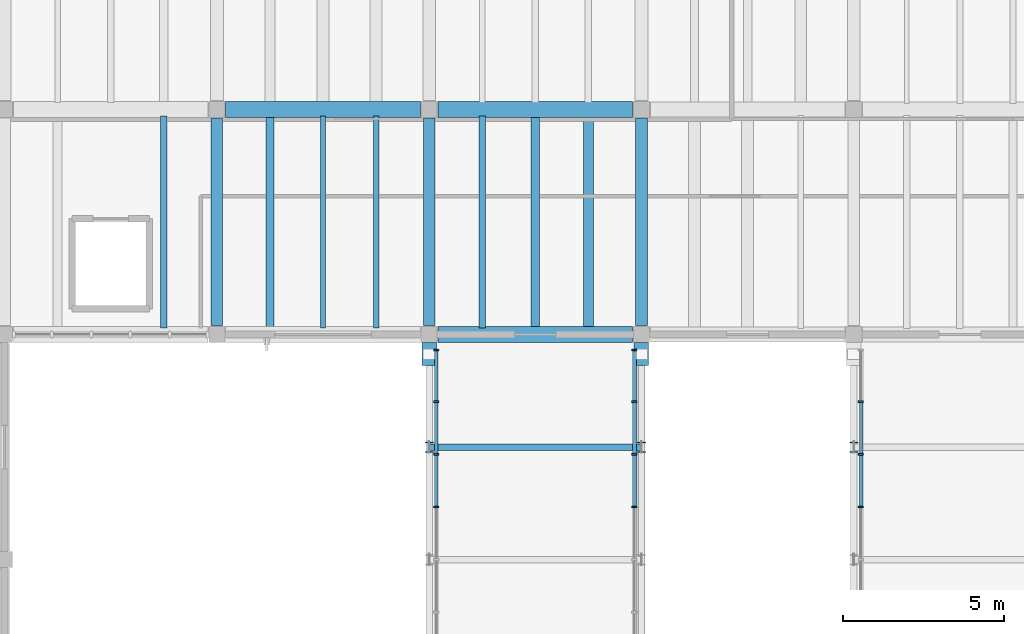
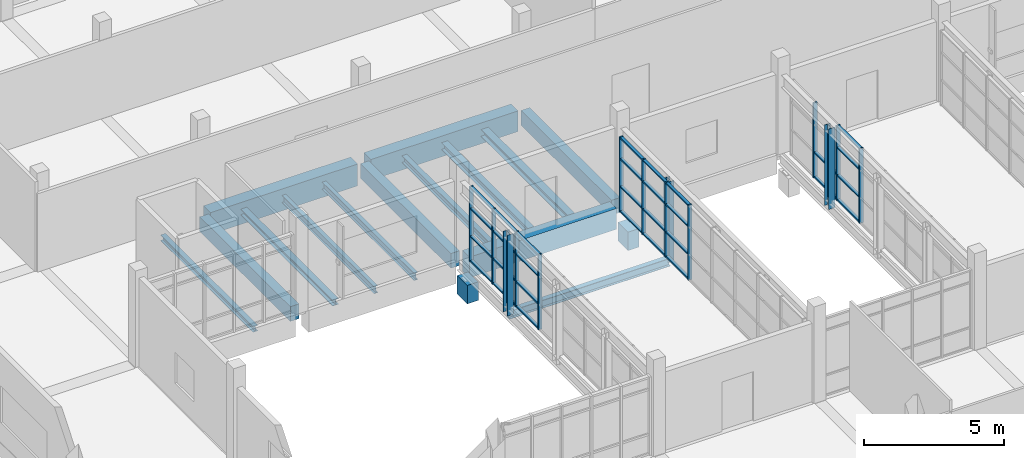
# One storey, part 26 of 65: 44 members, 16 beams, 3 elements without a shape of their own.
"""IFC4 building model written with IfcOpenShell, lengths in metres."""

from ifc_helpers import new_model, si_unit, direction, frame, origin, origin_2d, place, context, subcontext, project, spatial, rectangle, i_section, extrude, material, material_profile, profile_set, type_object, element, aggregate, save


model = new_model("IFC4")

# Units and contexts
model_context = context("Model", 3, precision=1e-05, world=origin(), true_north=direction((0.0, 1.0)))
body_context = subcontext(model_context, "Body", "Model", "MODEL_VIEW")
ifc_project = project(units=[si_unit("LENGTHUNIT", "METRE"), si_unit("AREAUNIT", "SQUARE_METRE"), si_unit("VOLUMEUNIT", "CUBIC_METRE"), si_unit("PLANEANGLEUNIT", "RADIAN"), si_unit("MASSUNIT", "GRAM", prefix="KILO")], contexts=[model_context])

# Site, building, storey
site_placement = place(None, origin())
site = spatial("IfcSite", under=ifc_project, at=site_placement, CompositionType="ELEMENT")
building_placement = place(site_placement, origin())
building = spatial("IfcBuilding", under=site, at=building_placement, Name="Ciguamira Faculty of Natural Sciences", CompositionType="ELEMENT")
storey_placement = place(building_placement, frame((0.0, 0.0, 12.60009765625)))
storey = spatial("IfcBuildingStorey", under=building, at=storey_placement, Name="L03", CompositionType="ELEMENT", Elevation=12.60009765625)

# Curtain wall, members
ifc_material_1 = material(Name="Anodized aluminium curtain wall", Category="aluminium")
curtain_wall_type_1 = type_object("IfcCurtainWallType", Name="CurtainWall_CW-10", PredefinedType="USERDEFINED", material=ifc_material_1)
curtain_wall_1_placement = place(storey_placement, origin())
curtain_wall_1 = element("IfcCurtainWall", 1, at=curtain_wall_1_placement, inside=storey, type_object=curtain_wall_type_1, Name="Link bridge BR-3 glazed curtain wall W", ObjectType="UNITISED CURTAIN WALL", PredefinedType="USERDEFINED")
ifc_material_2 = material(Name="Anodized aluminium mullion", Category="aluminium")
ifc_material_profile_1 = material_profile(ifc_material_2, rectangle(XDim=0.06005859375, YDim=0.159912109375, at=origin_2d()), Name="ALU-MUL-60X160")
ifc_profile_set_1 = profile_set([ifc_material_profile_1], Name="Anodized aluminium mullion")
member_type_1 = type_object("IfcMemberType", Name="CWMullion_CWM-01", PredefinedType="MULLION", material=ifc_profile_set_1)
member_1_placement = place(storey_placement, frame((77.320068359375, 67.637451171875, 0.0), z_axis=(0.0, 0.0, 1.0), x_axis=(0.0, 1.0, 0.0)))
member_1 = element("IfcMember", 2, at=member_1_placement, type_object=member_type_1, Name="CW-10 mullion 6", PredefinedType="MULLION", context=body_context, shape_type="SweptSolid", body=[
    extrude(rectangle(XDim=0.06005859375, YDim=0.159912109375, at=origin_2d()), origin(), (0.0, 0.0, 1.0), 3.25),
])
member_2_placement = place(storey_placement, frame((77.320068359375, 69.27490234375, 0.0), z_axis=(0.0, 0.0, 1.0), x_axis=(0.0, 1.0, 0.0)))
member_2 = element("IfcMember", 3, at=member_2_placement, type_object=member_type_1, Name="CW-10 mullion 7", PredefinedType="MULLION", context=body_context, shape_type="SweptSolid", body=[
    extrude(rectangle(XDim=0.06005859375, YDim=0.159912109375, at=origin_2d()), origin(), (0.0, 0.0, 1.0), 3.25),
])
member_3_placement = place(storey_placement, frame((77.320068359375, 70.91259765625, 0.0), z_axis=(0.0, 0.0, 1.0), x_axis=(0.0, 1.0, 0.0)))
member_3 = element("IfcMember", 4, at=member_3_placement, type_object=member_type_1, Name="CW-10 mullion 8", PredefinedType="MULLION", context=body_context, shape_type="SweptSolid", body=[
    extrude(rectangle(XDim=0.06005859375, YDim=0.159912109375, at=origin_2d()), origin(), (0.0, 0.0, 1.0), 3.25),
])
member_4_placement = place(storey_placement, frame((77.320068359375, 72.52001953125, 0.0), z_axis=(0.0, 0.0, 1.0), x_axis=(0.0, 1.0, 0.0)))
member_4 = element("IfcMember", 5, at=member_4_placement, type_object=member_type_1, Name="CW-10 mullion 9", PredefinedType="MULLION", context=body_context, shape_type="SweptSolid", body=[
    extrude(rectangle(XDim=0.06005859375, YDim=0.159912109375, at=origin_2d()), origin(), (0.0, 0.0, 1.0), 3.25),
])

curtain_wall_type_2 = type_object("IfcCurtainWallType", Name="CurtainWall_CW-11", PredefinedType="USERDEFINED", material=ifc_material_1)
curtain_wall_2_placement = place(storey_placement, origin())
curtain_wall_2 = element("IfcCurtainWall", 6, at=curtain_wall_2_placement, inside=storey, type_object=curtain_wall_type_2, Name="Link bridge BR-3 glazed curtain wall E", ObjectType="UNITISED CURTAIN WALL", PredefinedType="USERDEFINED")
member_5_placement = place(storey_placement, frame((83.47998046875, 67.637451171875, 0.0), z_axis=(0.0, 0.0, 1.0), x_axis=(0.0, 1.0, 0.0)))
member_5 = element("IfcMember", 7, at=member_5_placement, type_object=member_type_1, Name="CW-11 mullion 6", PredefinedType="MULLION", context=body_context, shape_type="SweptSolid", body=[
    extrude(rectangle(XDim=0.06005859375, YDim=0.159912109375, at=origin_2d()), origin(), (0.0, 0.0, 1.0), 3.25),
])
member_6_placement = place(storey_placement, frame((83.47998046875, 69.27490234375, 0.0), z_axis=(0.0, 0.0, 1.0), x_axis=(0.0, 1.0, 0.0)))
member_6 = element("IfcMember", 8, at=member_6_placement, type_object=member_type_1, Name="CW-11 mullion 7", PredefinedType="MULLION", context=body_context, shape_type="SweptSolid", body=[
    extrude(rectangle(XDim=0.06005859375, YDim=0.159912109375, at=origin_2d()), origin(), (0.0, 0.0, 1.0), 3.25),
])
member_7_placement = place(storey_placement, frame((83.47998046875, 70.91259765625, 0.0), z_axis=(0.0, 0.0, 1.0), x_axis=(0.0, 1.0, 0.0)))
member_7 = element("IfcMember", 9, at=member_7_placement, type_object=member_type_1, Name="CW-11 mullion 8", PredefinedType="MULLION", context=body_context, shape_type="SweptSolid", body=[
    extrude(rectangle(XDim=0.06005859375, YDim=0.159912109375, at=origin_2d()), origin(), (0.0, 0.0, 1.0), 3.25),
])
member_8_placement = place(storey_placement, frame((83.47998046875, 72.52001953125, 0.0), z_axis=(0.0, 0.0, 1.0), x_axis=(0.0, 1.0, 0.0)))
member_8 = element("IfcMember", 10, at=member_8_placement, type_object=member_type_1, Name="CW-11 mullion 9", PredefinedType="MULLION", context=body_context, shape_type="SweptSolid", body=[
    extrude(rectangle(XDim=0.06005859375, YDim=0.159912109375, at=origin_2d()), origin(), (0.0, 0.0, 1.0), 3.25),
])

curtain_wall_type_3 = type_object("IfcCurtainWallType", Name="CurtainWall_CW-12", PredefinedType="USERDEFINED", material=ifc_material_1)
curtain_wall_3_placement = place(storey_placement, origin())
curtain_wall_3 = element("IfcCurtainWall", 11, at=curtain_wall_3_placement, inside=storey, type_object=curtain_wall_type_3, Name="Link bridge BR-4 glazed curtain wall W", ObjectType="UNITISED CURTAIN WALL", PredefinedType="USERDEFINED")
member_9_placement = place(storey_placement, frame((90.52001953125, 67.637451171875, 0.0), z_axis=(0.0, 0.0, 1.0), x_axis=(0.0, 1.0, 0.0)))
member_9 = element("IfcMember", 12, at=member_9_placement, type_object=member_type_1, Name="CW-12 mullion 6", PredefinedType="MULLION", context=body_context, shape_type="SweptSolid", body=[
    extrude(rectangle(XDim=0.06005859375, YDim=0.159912109375, at=origin_2d()), origin(), (0.0, 0.0, 1.0), 3.25),
])
member_10_placement = place(storey_placement, frame((90.52001953125, 69.27490234375, 0.0), z_axis=(0.0, 0.0, 1.0), x_axis=(0.0, 1.0, 0.0)))
member_10 = element("IfcMember", 13, at=member_10_placement, type_object=member_type_1, Name="CW-12 mullion 7", PredefinedType="MULLION", context=body_context, shape_type="SweptSolid", body=[
    extrude(rectangle(XDim=0.06005859375, YDim=0.159912109375, at=origin_2d()), origin(), (0.0, 0.0, 1.0), 3.25),
])
member_11_placement = place(storey_placement, frame((90.52001953125, 70.91259765625, 0.0), z_axis=(0.0, 0.0, 1.0), x_axis=(0.0, 1.0, 0.0)))
member_11 = element("IfcMember", 14, at=member_11_placement, type_object=member_type_1, Name="CW-12 mullion 8", PredefinedType="MULLION", context=body_context, shape_type="SweptSolid", body=[
    extrude(rectangle(XDim=0.06005859375, YDim=0.159912109375, at=origin_2d()), origin(), (0.0, 0.0, 1.0), 3.25),
])

# Member
ifc_material_3 = material(Name="Anodized aluminium transom", Category="aluminium")
ifc_material_profile_2 = material_profile(ifc_material_3, rectangle(XDim=0.06005859375, YDim=0.1201171875, at=origin_2d()), Name="ALU-TRN-60X120")
ifc_profile_set_2 = profile_set([ifc_material_profile_2], Name="Anodized aluminium transom")
member_type_2 = type_object("IfcMemberType", Name="CWTransom_CWT-01", PredefinedType="USERDEFINED", material=ifc_profile_set_2)
member_12_placement = place(storey_placement, frame((77.320068359375, 67.66748046875, 0.02978515625), z_axis=(0.0, 1.0, 0.0), x_axis=(0.0, 0.0, 1.0)))
member_12 = element("IfcMember", 15, at=member_12_placement, type_object=member_type_2, Name="CW-10 transom 6.1", ObjectType="TRANSOM", PredefinedType="USERDEFINED", context=body_context, shape_type="SweptSolid", body=[
    extrude(rectangle(XDim=0.06005859375, YDim=0.1201171875, at=origin_2d()), origin(), (0.0, 0.0, 1.0), 1.57763671875),
])

member_13_placement = place(storey_placement, frame((77.320068359375, 67.66748046875, 1.099853515625), z_axis=(0.0, 1.0, 0.0), x_axis=(0.0, 0.0, 1.0)))
member_13 = element("IfcMember", 16, at=member_13_placement, type_object=member_type_2, Name="CW-10 transom 6.2", ObjectType="TRANSOM", PredefinedType="USERDEFINED", context=body_context, shape_type="SweptSolid", body=[
    extrude(rectangle(XDim=0.06005859375, YDim=0.1201171875, at=origin_2d()), origin(), (0.0, 0.0, 1.0), 1.57763671875),
])

member_14_placement = place(storey_placement, frame((77.320068359375, 67.66748046875, 2.2998046875), z_axis=(0.0, 1.0, 0.0), x_axis=(0.0, 0.0, 1.0)))
member_14 = element("IfcMember", 17, at=member_14_placement, type_object=member_type_2, Name="CW-10 transom 6.3", ObjectType="TRANSOM", PredefinedType="USERDEFINED", context=body_context, shape_type="SweptSolid", body=[
    extrude(rectangle(XDim=0.06005859375, YDim=0.1201171875, at=origin_2d()), origin(), (0.0, 0.0, 1.0), 1.57763671875),
])

member_15_placement = place(storey_placement, frame((77.320068359375, 67.66748046875, 3.219970703125), z_axis=(0.0, 1.0, 0.0), x_axis=(0.0, 0.0, 1.0)))
member_15 = element("IfcMember", 18, at=member_15_placement, type_object=member_type_2, Name="CW-10 transom 6.4", ObjectType="TRANSOM", PredefinedType="USERDEFINED", context=body_context, shape_type="SweptSolid", body=[
    extrude(rectangle(XDim=0.06005859375, YDim=0.1201171875, at=origin_2d()), origin(), (0.0, 0.0, 1.0), 1.57763671875),
])

member_16_placement = place(storey_placement, frame((77.320068359375, 69.304931640625, 0.02978515625), z_axis=(0.0, 1.0, 0.0), x_axis=(0.0, 0.0, 1.0)))
member_16 = element("IfcMember", 19, at=member_16_placement, type_object=member_type_2, Name="CW-10 transom 7.1", ObjectType="TRANSOM", PredefinedType="USERDEFINED", context=body_context, shape_type="SweptSolid", body=[
    extrude(rectangle(XDim=0.06005859375, YDim=0.1201171875, at=origin_2d()), origin(), (0.0, 0.0, 1.0), 1.57763671875),
])

member_17_placement = place(storey_placement, frame((77.320068359375, 69.304931640625, 1.099853515625), z_axis=(0.0, 1.0, 0.0), x_axis=(0.0, 0.0, 1.0)))
member_17 = element("IfcMember", 20, at=member_17_placement, type_object=member_type_2, Name="CW-10 transom 7.2", ObjectType="TRANSOM", PredefinedType="USERDEFINED", context=body_context, shape_type="SweptSolid", body=[
    extrude(rectangle(XDim=0.06005859375, YDim=0.1201171875, at=origin_2d()), origin(), (0.0, 0.0, 1.0), 1.57763671875),
])

member_18_placement = place(storey_placement, frame((77.320068359375, 69.304931640625, 2.2998046875), z_axis=(0.0, 1.0, 0.0), x_axis=(0.0, 0.0, 1.0)))
member_18 = element("IfcMember", 21, at=member_18_placement, type_object=member_type_2, Name="CW-10 transom 7.3", ObjectType="TRANSOM", PredefinedType="USERDEFINED", context=body_context, shape_type="SweptSolid", body=[
    extrude(rectangle(XDim=0.06005859375, YDim=0.1201171875, at=origin_2d()), origin(), (0.0, 0.0, 1.0), 1.57763671875),
])

member_19_placement = place(storey_placement, frame((77.320068359375, 69.304931640625, 3.219970703125), z_axis=(0.0, 1.0, 0.0), x_axis=(0.0, 0.0, 1.0)))
member_19 = element("IfcMember", 22, at=member_19_placement, type_object=member_type_2, Name="CW-10 transom 7.4", ObjectType="TRANSOM", PredefinedType="USERDEFINED", context=body_context, shape_type="SweptSolid", body=[
    extrude(rectangle(XDim=0.06005859375, YDim=0.1201171875, at=origin_2d()), origin(), (0.0, 0.0, 1.0), 1.57763671875),
])

member_20_placement = place(storey_placement, frame((77.320068359375, 70.9423828125, 0.02978515625), z_axis=(0.0, 1.0, 0.0), x_axis=(0.0, 0.0, 1.0)))
member_20 = element("IfcMember", 23, at=member_20_placement, type_object=member_type_2, Name="CW-10 transom 8.1", ObjectType="TRANSOM", PredefinedType="USERDEFINED", context=body_context, shape_type="SweptSolid", body=[
    extrude(rectangle(XDim=0.06005859375, YDim=0.1201171875, at=origin_2d()), origin(), (0.0, 0.0, 1.0), 1.547607421875),
])

member_21_placement = place(storey_placement, frame((77.320068359375, 70.9423828125, 1.099853515625), z_axis=(0.0, 1.0, 0.0), x_axis=(0.0, 0.0, 1.0)))
member_21 = element("IfcMember", 24, at=member_21_placement, type_object=member_type_2, Name="CW-10 transom 8.2", ObjectType="TRANSOM", PredefinedType="USERDEFINED", context=body_context, shape_type="SweptSolid", body=[
    extrude(rectangle(XDim=0.06005859375, YDim=0.1201171875, at=origin_2d()), origin(), (0.0, 0.0, 1.0), 1.547607421875),
])

member_22_placement = place(storey_placement, frame((77.320068359375, 70.9423828125, 2.2998046875), z_axis=(0.0, 1.0, 0.0), x_axis=(0.0, 0.0, 1.0)))
member_22 = element("IfcMember", 25, at=member_22_placement, type_object=member_type_2, Name="CW-10 transom 8.3", ObjectType="TRANSOM", PredefinedType="USERDEFINED", context=body_context, shape_type="SweptSolid", body=[
    extrude(rectangle(XDim=0.06005859375, YDim=0.1201171875, at=origin_2d()), origin(), (0.0, 0.0, 1.0), 1.547607421875),
])

member_23_placement = place(storey_placement, frame((77.320068359375, 70.9423828125, 3.219970703125), z_axis=(0.0, 1.0, 0.0), x_axis=(0.0, 0.0, 1.0)))
member_23 = element("IfcMember", 26, at=member_23_placement, type_object=member_type_2, Name="CW-10 transom 8.4", ObjectType="TRANSOM", PredefinedType="USERDEFINED", context=body_context, shape_type="SweptSolid", body=[
    extrude(rectangle(XDim=0.06005859375, YDim=0.1201171875, at=origin_2d()), origin(), (0.0, 0.0, 1.0), 1.547607421875),
])

aggregate(curtain_wall_1, [member_1, member_2, member_3, member_4, member_12, member_13, member_14, member_15, member_16, member_17, member_18, member_19, member_20, member_21, member_22, member_23])

member_24_placement = place(storey_placement, frame((83.47998046875, 67.66748046875, 0.02978515625), z_axis=(0.0, 1.0, 0.0), x_axis=(0.0, 0.0, 1.0)))
member_24 = element("IfcMember", 27, at=member_24_placement, type_object=member_type_2, Name="CW-11 transom 6.1", ObjectType="TRANSOM", PredefinedType="USERDEFINED", context=body_context, shape_type="SweptSolid", body=[
    extrude(rectangle(XDim=0.06005859375, YDim=0.1201171875, at=origin_2d()), origin(), (0.0, 0.0, 1.0), 1.57763671875),
])

member_25_placement = place(storey_placement, frame((83.47998046875, 67.66748046875, 1.099853515625), z_axis=(0.0, 1.0, 0.0), x_axis=(0.0, 0.0, 1.0)))
member_25 = element("IfcMember", 28, at=member_25_placement, type_object=member_type_2, Name="CW-11 transom 6.2", ObjectType="TRANSOM", PredefinedType="USERDEFINED", context=body_context, shape_type="SweptSolid", body=[
    extrude(rectangle(XDim=0.06005859375, YDim=0.1201171875, at=origin_2d()), origin(), (0.0, 0.0, 1.0), 1.57763671875),
])

member_26_placement = place(storey_placement, frame((83.47998046875, 67.66748046875, 2.2998046875), z_axis=(0.0, 1.0, 0.0), x_axis=(0.0, 0.0, 1.0)))
member_26 = element("IfcMember", 29, at=member_26_placement, type_object=member_type_2, Name="CW-11 transom 6.3", ObjectType="TRANSOM", PredefinedType="USERDEFINED", context=body_context, shape_type="SweptSolid", body=[
    extrude(rectangle(XDim=0.06005859375, YDim=0.1201171875, at=origin_2d()), origin(), (0.0, 0.0, 1.0), 1.57763671875),
])

member_27_placement = place(storey_placement, frame((83.47998046875, 67.66748046875, 3.219970703125), z_axis=(0.0, 1.0, 0.0), x_axis=(0.0, 0.0, 1.0)))
member_27 = element("IfcMember", 30, at=member_27_placement, type_object=member_type_2, Name="CW-11 transom 6.4", ObjectType="TRANSOM", PredefinedType="USERDEFINED", context=body_context, shape_type="SweptSolid", body=[
    extrude(rectangle(XDim=0.06005859375, YDim=0.1201171875, at=origin_2d()), origin(), (0.0, 0.0, 1.0), 1.57763671875),
])

member_28_placement = place(storey_placement, frame((83.47998046875, 69.304931640625, 0.02978515625), z_axis=(0.0, 1.0, 0.0), x_axis=(0.0, 0.0, 1.0)))
member_28 = element("IfcMember", 31, at=member_28_placement, type_object=member_type_2, Name="CW-11 transom 7.1", ObjectType="TRANSOM", PredefinedType="USERDEFINED", context=body_context, shape_type="SweptSolid", body=[
    extrude(rectangle(XDim=0.06005859375, YDim=0.1201171875, at=origin_2d()), origin(), (0.0, 0.0, 1.0), 1.57763671875),
])

member_29_placement = place(storey_placement, frame((83.47998046875, 69.304931640625, 1.099853515625), z_axis=(0.0, 1.0, 0.0), x_axis=(0.0, 0.0, 1.0)))
member_29 = element("IfcMember", 32, at=member_29_placement, type_object=member_type_2, Name="CW-11 transom 7.2", ObjectType="TRANSOM", PredefinedType="USERDEFINED", context=body_context, shape_type="SweptSolid", body=[
    extrude(rectangle(XDim=0.06005859375, YDim=0.1201171875, at=origin_2d()), origin(), (0.0, 0.0, 1.0), 1.57763671875),
])

member_30_placement = place(storey_placement, frame((83.47998046875, 69.304931640625, 2.2998046875), z_axis=(0.0, 1.0, 0.0), x_axis=(0.0, 0.0, 1.0)))
member_30 = element("IfcMember", 33, at=member_30_placement, type_object=member_type_2, Name="CW-11 transom 7.3", ObjectType="TRANSOM", PredefinedType="USERDEFINED", context=body_context, shape_type="SweptSolid", body=[
    extrude(rectangle(XDim=0.06005859375, YDim=0.1201171875, at=origin_2d()), origin(), (0.0, 0.0, 1.0), 1.57763671875),
])

member_31_placement = place(storey_placement, frame((83.47998046875, 69.304931640625, 3.219970703125), z_axis=(0.0, 1.0, 0.0), x_axis=(0.0, 0.0, 1.0)))
member_31 = element("IfcMember", 34, at=member_31_placement, type_object=member_type_2, Name="CW-11 transom 7.4", ObjectType="TRANSOM", PredefinedType="USERDEFINED", context=body_context, shape_type="SweptSolid", body=[
    extrude(rectangle(XDim=0.06005859375, YDim=0.1201171875, at=origin_2d()), origin(), (0.0, 0.0, 1.0), 1.57763671875),
])

member_32_placement = place(storey_placement, frame((83.47998046875, 70.9423828125, 0.02978515625), z_axis=(0.0, 1.0, 0.0), x_axis=(0.0, 0.0, 1.0)))
member_32 = element("IfcMember", 35, at=member_32_placement, type_object=member_type_2, Name="CW-11 transom 8.1", ObjectType="TRANSOM", PredefinedType="USERDEFINED", context=body_context, shape_type="SweptSolid", body=[
    extrude(rectangle(XDim=0.06005859375, YDim=0.1201171875, at=origin_2d()), origin(), (0.0, 0.0, 1.0), 1.547607421875),
])

member_33_placement = place(storey_placement, frame((83.47998046875, 70.9423828125, 1.099853515625), z_axis=(0.0, 1.0, 0.0), x_axis=(0.0, 0.0, 1.0)))
member_33 = element("IfcMember", 36, at=member_33_placement, type_object=member_type_2, Name="CW-11 transom 8.2", ObjectType="TRANSOM", PredefinedType="USERDEFINED", context=body_context, shape_type="SweptSolid", body=[
    extrude(rectangle(XDim=0.06005859375, YDim=0.1201171875, at=origin_2d()), origin(), (0.0, 0.0, 1.0), 1.547607421875),
])

member_34_placement = place(storey_placement, frame((83.47998046875, 70.9423828125, 2.2998046875), z_axis=(0.0, 1.0, 0.0), x_axis=(0.0, 0.0, 1.0)))
member_34 = element("IfcMember", 37, at=member_34_placement, type_object=member_type_2, Name="CW-11 transom 8.3", ObjectType="TRANSOM", PredefinedType="USERDEFINED", context=body_context, shape_type="SweptSolid", body=[
    extrude(rectangle(XDim=0.06005859375, YDim=0.1201171875, at=origin_2d()), origin(), (0.0, 0.0, 1.0), 1.547607421875),
])

member_35_placement = place(storey_placement, frame((83.47998046875, 70.9423828125, 3.219970703125), z_axis=(0.0, 1.0, 0.0), x_axis=(0.0, 0.0, 1.0)))
member_35 = element("IfcMember", 38, at=member_35_placement, type_object=member_type_2, Name="CW-11 transom 8.4", ObjectType="TRANSOM", PredefinedType="USERDEFINED", context=body_context, shape_type="SweptSolid", body=[
    extrude(rectangle(XDim=0.06005859375, YDim=0.1201171875, at=origin_2d()), origin(), (0.0, 0.0, 1.0), 1.547607421875),
])

aggregate(curtain_wall_2, [member_5, member_6, member_7, member_8, member_24, member_25, member_26, member_27, member_28, member_29, member_30, member_31, member_32, member_33, member_34, member_35])

member_36_placement = place(storey_placement, frame((90.52001953125, 67.66748046875, 0.02978515625), z_axis=(0.0, 1.0, 0.0), x_axis=(0.0, 0.0, 1.0)))
member_36 = element("IfcMember", 39, at=member_36_placement, type_object=member_type_2, Name="CW-12 transom 6.1", ObjectType="TRANSOM", PredefinedType="USERDEFINED", context=body_context, shape_type="SweptSolid", body=[
    extrude(rectangle(XDim=0.06005859375, YDim=0.1201171875, at=origin_2d()), origin(), (0.0, 0.0, 1.0), 1.57763671875),
])

member_37_placement = place(storey_placement, frame((90.52001953125, 67.66748046875, 1.099853515625), z_axis=(0.0, 1.0, 0.0), x_axis=(0.0, 0.0, 1.0)))
member_37 = element("IfcMember", 40, at=member_37_placement, type_object=member_type_2, Name="CW-12 transom 6.2", ObjectType="TRANSOM", PredefinedType="USERDEFINED", context=body_context, shape_type="SweptSolid", body=[
    extrude(rectangle(XDim=0.06005859375, YDim=0.1201171875, at=origin_2d()), origin(), (0.0, 0.0, 1.0), 1.57763671875),
])

member_38_placement = place(storey_placement, frame((90.52001953125, 67.66748046875, 2.2998046875), z_axis=(0.0, 1.0, 0.0), x_axis=(0.0, 0.0, 1.0)))
member_38 = element("IfcMember", 41, at=member_38_placement, type_object=member_type_2, Name="CW-12 transom 6.3", ObjectType="TRANSOM", PredefinedType="USERDEFINED", context=body_context, shape_type="SweptSolid", body=[
    extrude(rectangle(XDim=0.06005859375, YDim=0.1201171875, at=origin_2d()), origin(), (0.0, 0.0, 1.0), 1.57763671875),
])

member_39_placement = place(storey_placement, frame((90.52001953125, 67.66748046875, 3.219970703125), z_axis=(0.0, 1.0, 0.0), x_axis=(0.0, 0.0, 1.0)))
member_39 = element("IfcMember", 42, at=member_39_placement, type_object=member_type_2, Name="CW-12 transom 6.4", ObjectType="TRANSOM", PredefinedType="USERDEFINED", context=body_context, shape_type="SweptSolid", body=[
    extrude(rectangle(XDim=0.06005859375, YDim=0.1201171875, at=origin_2d()), origin(), (0.0, 0.0, 1.0), 1.57763671875),
])

member_40_placement = place(storey_placement, frame((90.52001953125, 69.304931640625, 0.02978515625), z_axis=(0.0, 1.0, 0.0), x_axis=(0.0, 0.0, 1.0)))
member_40 = element("IfcMember", 43, at=member_40_placement, type_object=member_type_2, Name="CW-12 transom 7.1", ObjectType="TRANSOM", PredefinedType="USERDEFINED", context=body_context, shape_type="SweptSolid", body=[
    extrude(rectangle(XDim=0.06005859375, YDim=0.1201171875, at=origin_2d()), origin(), (0.0, 0.0, 1.0), 1.57763671875),
])

member_41_placement = place(storey_placement, frame((90.52001953125, 69.304931640625, 1.099853515625), z_axis=(0.0, 1.0, 0.0), x_axis=(0.0, 0.0, 1.0)))
member_41 = element("IfcMember", 44, at=member_41_placement, type_object=member_type_2, Name="CW-12 transom 7.2", ObjectType="TRANSOM", PredefinedType="USERDEFINED", context=body_context, shape_type="SweptSolid", body=[
    extrude(rectangle(XDim=0.06005859375, YDim=0.1201171875, at=origin_2d()), origin(), (0.0, 0.0, 1.0), 1.57763671875),
])

aggregate(curtain_wall_3, [member_9, member_10, member_11, member_36, member_37, member_38, member_39, member_40, member_41])

# Beams
ifc_material_4 = material(Name="Concrete C40/50", Category="concrete")
ifc_material_profile_3 = material_profile(ifc_material_4, rectangle(XDim=0.5, YDim=0.949951171875, at=origin_2d()), Name="RC-BM-500X950")
ifc_profile_set_3 = profile_set([ifc_material_profile_3], Name="Concrete C40/50")
beam_type_1 = type_object("IfcBeamType", Name="RCBeam_BG-02_RC-BM-500X950", PredefinedType="BEAM", material=ifc_profile_set_3)
beam_1_placement = place(storey_placement, frame((70.77490234375, 80.0, -0.47509765625), z_axis=(1.0, 0.0, 0.0), x_axis=(0.0, 1.0, 0.0)))
element("IfcBeam", 45, at=beam_1_placement, inside=storey, type_object=beam_type_1, Name="L03 RC girder EW-1131", PredefinedType="BEAM", context=body_context, shape_type="SweptSolid", body=[
    extrude(rectangle(XDim=0.5, YDim=0.949951171875, at=origin_2d()), origin(), (0.0, 0.0, 1.0), 6.050048828125),
])
ifc_material_profile_4 = material_profile(ifc_material_4, rectangle(XDim=0.5, YDim=0.89990234375, at=origin_2d()), Name="RC-BM-500X900")
ifc_profile_set_4 = profile_set([ifc_material_profile_4], Name="Concrete C40/50")
beam_type_2 = type_object("IfcBeamType", Name="RCBeam_BG-03_RC-BM-500X900", PredefinedType="BEAM", material=ifc_profile_set_4)
for number, where, z_axis, x_axis, name in (
    (46, (77.375, 73.0, -0.4501953125), (1.0, 0.0, 0.0), (0.0, 1.0, 0.0), "L03 RC girder EW-1123"),
    (47, (77.375, 80.0, -0.4501953125), (1.0, 0.0, 0.0), (0.0, 1.0, 0.0), "L03 RC girder EW-1132"),
):
    element("IfcBeam", number, at=place(storey_placement, frame(where, z_axis=z_axis, x_axis=x_axis)), inside=storey, type_object=beam_type_2, Name=name, PredefinedType="BEAM", context=body_context, shape_type="SweptSolid", body=[
        extrude(rectangle(XDim=0.5, YDim=0.89990234375, at=origin_2d()), origin(), (0.0, 0.0, 1.0), 6.050048828125),
    ])
ifc_material_profile_5 = material_profile(ifc_material_4, rectangle(XDim=0.449951171875, YDim=0.800048828125, at=origin_2d()), Name="RC-BM-450X800")
ifc_profile_set_5 = profile_set([ifc_material_profile_5], Name="Concrete C40/50")
beam_type_3 = type_object("IfcBeamType", Name="RCBeam_BG-05_RC-BM-450X800", PredefinedType="BEAM", material=ifc_profile_set_5)
for number, where, z_axis, x_axis, name in (
    (48, (77.10009765625, 72.030029296875, -1.015869140625), (0.0, 1.0, 0.0), (-1.0, 0.0, 0.0), "Link bridge BR-3 sliding north RC corbel seat 1"),
    (49, (83.699951171875, 72.030029296875, -1.015869140625), (0.0, 1.0, 0.0), (-1.0, 0.0, 0.0), "Link bridge BR-3 sliding north RC corbel seat 2"),
):
    element("IfcBeam", number, at=place(storey_placement, frame(where, z_axis=z_axis, x_axis=x_axis)), inside=storey, type_object=beam_type_3, Name=name, PredefinedType="BEAM", context=body_context, shape_type="SweptSolid", body=[
        extrude(rectangle(XDim=0.449951171875, YDim=0.800048828125, at=origin_2d()), origin(), (0.0, 0.0, 1.0), 0.719970703125),
    ])
ifc_material_profile_6 = material_profile(ifc_material_4, rectangle(XDim=0.360107421875, YDim=0.639892578125, at=origin_2d()), Name="RC-BM-360X640")
ifc_profile_set_6 = profile_set([ifc_material_profile_6], Name="Concrete C40/50")
beam_type_4 = type_object("IfcBeamType", Name="RCBeam_BG-10_RC-BM-360X640", PredefinedType="BEAM", material=ifc_profile_set_6)
for number, where, z_axis, x_axis, name in (
    (50, (70.5, 73.27490234375, -0.320068359375), (0.0, 1.0, 0.0), (-1.0, 0.0, 0.0), "L03 girder NS-1236"),
    (51, (77.10009765625, 73.27490234375, -0.320068359375), (0.0, 1.0, 0.0), (-1.0, 0.0, 0.0), "L03 girder NS-1246"),
    (52, (83.699951171875, 73.27490234375, -0.320068359375), (0.0, 1.0, 0.0), (-1.0, 0.0, 0.0), "L03 girder NS-1256"),
):
    element("IfcBeam", number, at=place(storey_placement, frame(where, z_axis=z_axis, x_axis=x_axis)), inside=storey, type_object=beam_type_4, Name=name, PredefinedType="BEAM", context=body_context, shape_type="SweptSolid", body=[
        extrude(rectangle(XDim=0.360107421875, YDim=0.639892578125, at=origin_2d()), origin(), (0.0, 0.0, 1.0), 6.4501953125),
    ])
ifc_material_5 = material(Name="Steel ASTM A992 Grade 50", Category="steel")
ifc_material_profile_7 = material_profile(ifc_material_5, i_section(OverallWidth=0.2021484375, OverallDepth=0.2470703125, WebThickness=0.00732421875, FlangeThickness=0.010986328125, at=origin_2d()), Name="W10X33")
ifc_profile_set_7 = profile_set([ifc_material_profile_7], Name="Steel ASTM A992 Grade 50")
beam_type_5 = type_object("IfcBeamType", Name="SteelJoist_SJ-02_W10X33", PredefinedType="JOIST", material=ifc_profile_set_7)
beam_2_placement = place(storey_placement, frame((68.85009765625, 73.2099609375, -0.40380859375), z_axis=(0.0, 1.0, 0.0), x_axis=(-1.0, 0.0, 0.0)))
element("IfcBeam", 53, at=beam_2_placement, inside=storey, type_object=beam_type_5, Name="L03 composite steel joist 01064", PredefinedType="JOIST", context=body_context, shape_type="SweptSolid", body=[
    extrude(i_section(OverallWidth=0.2021484375, OverallDepth=0.2470703125, WebThickness=0.00732421875, FlangeThickness=0.010986328125, at=origin_2d()), origin(), (0.0, 0.0, 1.0), 6.580078125),
])
ifc_material_profile_8 = material_profile(ifc_material_5, i_section(OverallWidth=0.25390625, OverallDepth=0.25390625, WebThickness=0.008544921875, FlangeThickness=0.01416015625, at=origin_2d()), Name="W10X49")
ifc_profile_set_8 = profile_set([ifc_material_profile_8], Name="Steel ASTM A992 Grade 50")
beam_type_6 = type_object("IfcBeamType", Name="SteelJoist_SJ-03_W10X49", PredefinedType="JOIST", material=ifc_profile_set_8)
beam_3_placement = place(storey_placement, frame((72.14990234375, 73.2099609375, -0.406982421875), z_axis=(0.0, 1.0, 0.0), x_axis=(-1.0, 0.0, 0.0)))
element("IfcBeam", 54, at=beam_3_placement, inside=storey, type_object=beam_type_6, Name="L03 composite steel joist 01089", PredefinedType="JOIST", context=body_context, shape_type="SweptSolid", body=[
    extrude(i_section(OverallWidth=0.25390625, OverallDepth=0.25390625, WebThickness=0.008544921875, FlangeThickness=0.01416015625, at=origin_2d()), origin(), (0.0, 0.0, 1.0), 6.580078125),
])
ifc_material_profile_9 = material_profile(ifc_material_5, i_section(OverallWidth=0.164794921875, OverallDepth=0.309814453125, WebThickness=0.005859375, FlangeThickness=0.009765625, at=origin_2d()), Name="W12X26")
ifc_profile_set_9 = profile_set([ifc_material_profile_9], Name="Steel ASTM A992 Grade 50")
beam_type_7 = type_object("IfcBeamType", Name="SteelJoist_SJ-04_W12X26", PredefinedType="JOIST", material=ifc_profile_set_9)
beam_4_placement = place(storey_placement, frame((73.800048828125, 73.2099609375, -0.43505859375), z_axis=(0.0, 1.0, 0.0), x_axis=(-1.0, 0.0, 0.0)))
element("IfcBeam", 55, at=beam_4_placement, inside=storey, type_object=beam_type_7, Name="L03 composite steel joist 01090", PredefinedType="JOIST", context=body_context, shape_type="SweptSolid", body=[
    extrude(i_section(OverallWidth=0.164794921875, OverallDepth=0.309814453125, WebThickness=0.005859375, FlangeThickness=0.009765625, at=origin_2d()), origin(), (0.0, 0.0, 1.0), 6.580078125),
])
ifc_material_profile_10 = material_profile(ifc_material_5, i_section(OverallWidth=0.16650390625, OverallDepth=0.3173828125, WebThickness=0.007568359375, FlangeThickness=0.01318359375, at=origin_2d()), Name="W12X35")
ifc_profile_set_10 = profile_set([ifc_material_profile_10], Name="Steel ASTM A992 Grade 50")
beam_type_8 = type_object("IfcBeamType", Name="SteelJoist_SJ-05_W12X35", PredefinedType="JOIST", material=ifc_profile_set_10)
beam_5_placement = place(storey_placement, frame((75.449951171875, 73.2099609375, -0.438720703125), z_axis=(0.0, 1.0, 0.0), x_axis=(-1.0, 0.0, 0.0)))
element("IfcBeam", 56, at=beam_5_placement, inside=storey, type_object=beam_type_8, Name="L03 composite steel joist 01091", PredefinedType="JOIST", context=body_context, shape_type="SweptSolid", body=[
    extrude(i_section(OverallWidth=0.16650390625, OverallDepth=0.3173828125, WebThickness=0.007568359375, FlangeThickness=0.01318359375, at=origin_2d()), origin(), (0.0, 0.0, 1.0), 6.580078125),
])
ifc_material_profile_11 = material_profile(ifc_material_5, i_section(OverallWidth=0.20458984375, OverallDepth=0.307373046875, WebThickness=0.008544921875, FlangeThickness=0.0146484375, at=origin_2d()), Name="W12X45")
ifc_profile_set_11 = profile_set([ifc_material_profile_11], Name="Steel ASTM A992 Grade 50")
beam_type_9 = type_object("IfcBeamType", Name="SteelJoist_SJ-06_W12X45", PredefinedType="JOIST", material=ifc_profile_set_11)
beam_6_placement = place(storey_placement, frame((78.75, 73.2099609375, -0.433837890625), z_axis=(0.0, 1.0, 0.0), x_axis=(-1.0, 0.0, 0.0)))
element("IfcBeam", 57, at=beam_6_placement, inside=storey, type_object=beam_type_9, Name="L03 composite steel joist 01114", PredefinedType="JOIST", context=body_context, shape_type="SweptSolid", body=[
    extrude(i_section(OverallWidth=0.20458984375, OverallDepth=0.307373046875, WebThickness=0.008544921875, FlangeThickness=0.0146484375, at=origin_2d()), origin(), (0.0, 0.0, 1.0), 6.580078125),
])
ifc_material_profile_12 = material_profile(ifc_material_5, i_section(OverallWidth=0.25390625, OverallDepth=0.307373046875, WebThickness=0.0087890625, FlangeThickness=0.0146484375, at=origin_2d()), Name="W12X53")
ifc_profile_set_12 = profile_set([ifc_material_profile_12], Name="Steel ASTM A992 Grade 50")
beam_type_10 = type_object("IfcBeamType", Name="SteelJoist_SJ-07_W12X53", PredefinedType="JOIST", material=ifc_profile_set_12)
beam_7_placement = place(storey_placement, frame((80.39990234375, 73.2099609375, -0.433837890625), z_axis=(0.0, 1.0, 0.0), x_axis=(-1.0, 0.0, 0.0)))
element("IfcBeam", 58, at=beam_7_placement, inside=storey, type_object=beam_type_10, Name="L03 composite steel joist 01115", PredefinedType="JOIST", context=body_context, shape_type="SweptSolid", body=[
    extrude(i_section(OverallWidth=0.25390625, OverallDepth=0.307373046875, WebThickness=0.0087890625, FlangeThickness=0.0146484375, at=origin_2d()), origin(), (0.0, 0.0, 1.0), 6.580078125),
])
ifc_material_profile_13 = material_profile(ifc_material_5, i_section(OverallWidth=0.3046875, OverallDepth=0.307373046875, WebThickness=0.010009765625, FlangeThickness=0.015380859375, at=origin_2d()), Name="W12X65")
ifc_profile_set_13 = profile_set([ifc_material_profile_13], Name="Steel ASTM A992 Grade 50")
beam_type_11 = type_object("IfcBeamType", Name="SteelJoist_SJ-08_W12X65", PredefinedType="JOIST", material=ifc_profile_set_13)
beam_8_placement = place(storey_placement, frame((82.050048828125, 73.2099609375, -0.433837890625), z_axis=(0.0, 1.0, 0.0), x_axis=(-1.0, 0.0, 0.0)))
element("IfcBeam", 59, at=beam_8_placement, inside=storey, type_object=beam_type_11, Name="L03 composite steel joist 01116", PredefinedType="JOIST", context=body_context, shape_type="SweptSolid", body=[
    extrude(i_section(OverallWidth=0.3046875, OverallDepth=0.307373046875, WebThickness=0.010009765625, FlangeThickness=0.015380859375, at=origin_2d()), origin(), (0.0, 0.0, 1.0), 6.580078125),
])
ifc_material_profile_14 = material_profile(ifc_material_5, i_section(OverallWidth=0.203125, OverallDepth=0.347900390625, WebThickness=0.0078125, FlangeThickness=0.013427734375, at=origin_2d()), Name="W14X43")
ifc_profile_set_14 = profile_set([ifc_material_profile_14], Name="Steel ASTM A992 Grade 50")
beam_type_12 = type_object("IfcBeamType", Name="SteelJoist_SJ-12_W14X43", PredefinedType="JOIST", material=ifc_profile_set_14)
beam_9_placement = place(storey_placement, frame((77.10009765625, 69.5, -0.39404296875), z_axis=(1.0, 0.0, 0.0), x_axis=(0.0, 1.0, 0.0)))
element("IfcBeam", 60, at=beam_9_placement, inside=storey, type_object=beam_type_12, Name="Link bridge BR-3 floor crossbeam 3", PredefinedType="JOIST", context=body_context, shape_type="SweptSolid", body=[
    extrude(i_section(OverallWidth=0.203125, OverallDepth=0.347900390625, WebThickness=0.0078125, FlangeThickness=0.013427734375, at=origin_2d()), origin(), (0.0, 0.0, 1.0), 6.599853515625),
])

# Members
ifc_material_profile_15 = material_profile(ifc_material_5, i_section(OverallWidth=0.25390625, OverallDepth=0.307373046875, WebThickness=0.0087890625, FlangeThickness=0.0146484375, at=origin_2d()), Name="W12X53")
ifc_profile_set_15 = profile_set([ifc_material_profile_15], Name="Steel ASTM A992 Grade 50")
member_type_3 = type_object("IfcMemberType", Name="SteelMember_TS-02_W12X53", PredefinedType="STRUT", material=ifc_profile_set_15)
for number, where, z_axis, x_axis, name in (
    (61, (77.10009765625, 69.5, -0.35009765625), (0.0, 0.0, 1.0), (1.0, 0.0, 0.0), "Link bridge BR-3 truss vertical 1-4"),
    (62, (83.699951171875, 69.5, -0.35009765625), (0.0, 0.0, 1.0), (1.0, 0.0, 0.0), "Link bridge BR-3 truss vertical 2-4"),
    (63, (90.300048828125, 69.5, -0.35009765625), (0.0, 0.0, 1.0), (1.0, 0.0, 0.0), "Link bridge BR-4 truss vertical 1-4"),
):
    element("IfcMember", number, at=place(storey_placement, frame(where, z_axis=z_axis, x_axis=x_axis)), inside=storey, type_object=member_type_3, Name=name, PredefinedType="STRUT", context=body_context, shape_type="SweptSolid", body=[
        extrude(i_section(OverallWidth=0.25390625, OverallDepth=0.307373046875, WebThickness=0.0087890625, FlangeThickness=0.0146484375, at=origin_2d()), origin(), (0.0, 0.0, 1.0), 3.5),
    ])

save(model, "model.ifc")
